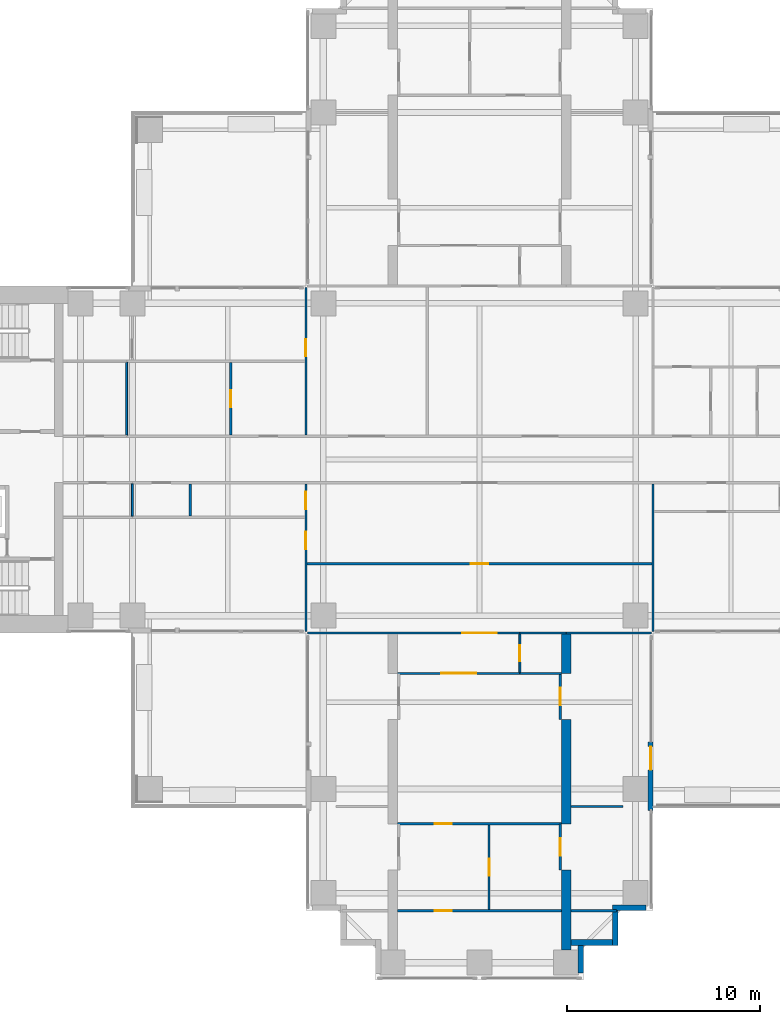
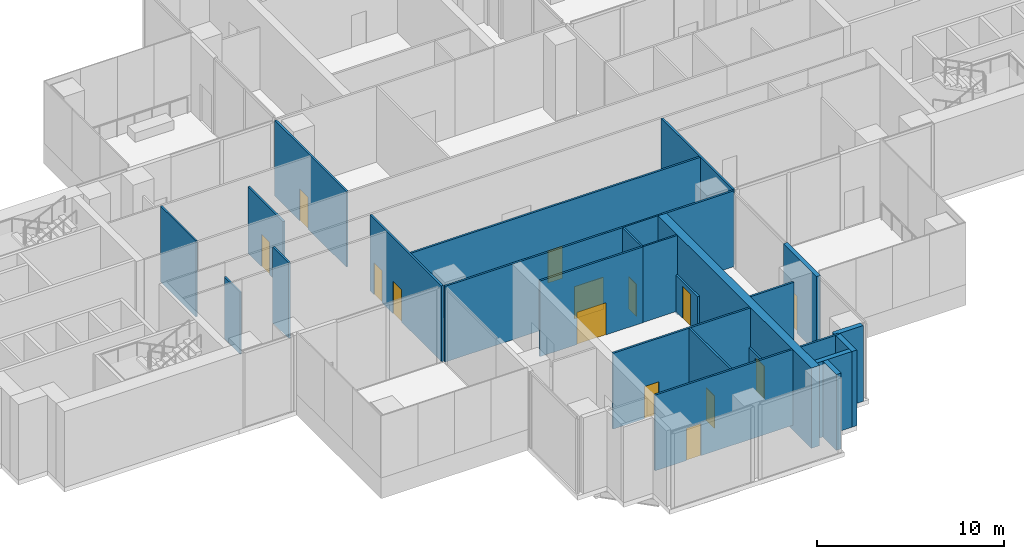
# One storey, part 8 of 17: 27 walls, 14 doors, 14 openings.
"""IFC4 building model written with IfcOpenShell, lengths in metres."""

from ifc_helpers import new_model, si_unit, direction, frame, frame_2d, origin, place, context, subcontext, project, spatial, polyline, rectangle, outline, extrude, material, layer, layer_set, material_profile, profile_set, type_object, element, fill, save


model = new_model("IFC4")

# Units and contexts
model_context = context("Model", 3, precision=1e-05, world=origin(), true_north=direction((0.0, 1.0)))
body_context = subcontext(model_context, "Body", "Model", "MODEL_VIEW")
ifc_project = project(units=[si_unit("LENGTHUNIT", "METRE"), si_unit("AREAUNIT", "SQUARE_METRE"), si_unit("VOLUMEUNIT", "CUBIC_METRE"), si_unit("PLANEANGLEUNIT", "RADIAN"), si_unit("MASSUNIT", "GRAM", prefix="KILO")], contexts=[model_context])

# Site, building, storey
site_placement = place(None, origin())
site = spatial("IfcSite", under=ifc_project, at=site_placement, CompositionType="ELEMENT")
building_placement = place(site_placement, origin())
building = spatial("IfcBuilding", under=site, at=building_placement, Name="Perihelion Cross Residences", CompositionType="ELEMENT")
storey_placement = place(building_placement, frame((0.0, 0.0, 92.5)))
storey = spatial("IfcBuildingStorey", under=building, at=storey_placement, Name="L21", CompositionType="ELEMENT", Elevation=92.5)

# Wall, opening, door
ifc_material_1 = material(Name="Concrete C30/37, bronze-clad", Category="concrete")
ifc_layer_1 = layer(ifc_material_1, 0.25)
ifc_layer_set_1 = layer_set([ifc_layer_1], Name="Bronze-clad pier wall 250")
wall_type_1 = type_object("IfcWallType", Name="Bronze-clad pier wall 250", PredefinedType="SOLIDWALL", material=ifc_layer_set_1)
wall_1_placement = place(storey_placement, frame((8.875, -18.199951171875, 0.0), z_axis=(0.0, 0.0, 1.0), x_axis=(0.0, 1.0, 0.0)))
wall_1 = element("IfcWall", 1, at=wall_1_placement, inside=storey, type_object=wall_type_1, Name="Wall FW1 L21 south side east bay 2 pier", PredefinedType="SOLIDWALL", context=body_context, shape_type="SweptSolid", body=[
    extrude(rectangle(XDim=3.550048828125, YDim=0.25, at=frame_2d((1.77490234375, 0.0))), origin(), (0.0, 0.0, 1.0), 4.949951171875),
])
opening_1_placement = place(wall_1_placement, frame((2.10009765625, 0.0, 0.0)))
opening_1 = element("IfcOpeningElement", 2, at=opening_1_placement, cuts=wall_1, Name="Opening L21.E07", PredefinedType="OPENING", context=body_context, shape_type="SweptSolid", body=[
    extrude(rectangle(XDim=1.199951171875, YDim=2.39990234375, at=frame_2d((0.60009765625, 1.199951171875))), frame((0.0, 0.135009765625, 0.0), z_axis=(0.0, -1.0, 0.0), x_axis=(1.0, 0.0, 0.0)), (0.0, 0.0, 1.0), 0.27001953125),
])
ifc_material_2 = material(Name="Bronze anodised aluminium, glazed", Category="aluminium")
door_type_1 = type_object("IfcDoorType", Name="Balcony door 1200 x 2400", OperationType="NOTDEFINED", PredefinedType="DOOR", material=ifc_material_2)
door_1_placement = place(opening_1_placement, origin())
door_1 = element("IfcDoor", 3, at=door_1_placement, inside=storey, type_object=door_type_1, Name="Door L21.E07 south side east bay 2", OperationType="SINGLE_SWING_RIGHT", OverallHeight=2.39990234375, OverallWidth=1.199951171875, PredefinedType="DOOR", context=body_context, shape_type="SweptSolid", body=[
    extrude(rectangle(XDim=1.199951171875, YDim=2.39990234375, at=frame_2d((0.60009765625, 1.199951171875))), frame((0.0, 0.02490234375, 0.0), z_axis=(0.0, -1.0, 0.0), x_axis=(1.0, 0.0, 0.0)), (0.0, 0.0, 1.0), 0.050048828125),
])
fill(opening_1, door_1)

# Walls
ifc_material_3 = material(Name="Concrete C30/37, bronze-clad", Category="concrete")
ifc_layer_2 = layer(ifc_material_3, 0.300048828125)
ifc_layer_set_2 = layer_set([ifc_layer_2], Name="Bronze-clad serration wall 300")
wall_type_2 = type_object("IfcWallType", Name="Bronze-clad serration wall 300", PredefinedType="SOLIDWALL", material=ifc_layer_set_2)
wall_2_placement = place(storey_placement, frame((5.25, -26.64990234375, 0.0), z_axis=(0.0, 0.0, 1.0), x_axis=(0.0, 1.0, 0.0)))
element("IfcWall", 4, at=wall_2_placement, inside=storey, type_object=wall_type_2, Name="Wall SR1 L21 south corner south-east 1", PredefinedType="SOLIDWALL", context=body_context, shape_type="SweptSolid", body=[
    extrude(rectangle(XDim=1.449951171875, YDim=0.300048828125, at=frame_2d((0.72509765625, 0.0))), origin(), (0.0, 0.0, 1.0), 4.949951171875),
])
wall_3_placement = place(storey_placement, frame((4.75, -25.050048828125, 0.0), z_axis=(0.0, 0.0, 1.0), x_axis=(1.0, 0.0, 0.0)))
element("IfcWall", 5, at=wall_3_placement, inside=storey, type_object=wall_type_2, Name="Wall SR1 L21 south corner south-east 2", PredefinedType="SOLIDWALL", context=body_context, shape_type="SweptSolid", body=[
    extrude(rectangle(XDim=2.14990234375, YDim=0.300048828125, at=frame_2d((1.074951171875, 0.0))), origin(), (0.0, 0.0, 1.0), 4.949951171875),
])
wall_4_placement = place(storey_placement, frame((7.050048828125, -25.199951171875, 0.0), z_axis=(0.0, 0.0, 1.0), x_axis=(0.0, 1.0, 0.0)))
element("IfcWall", 6, at=wall_4_placement, inside=storey, type_object=wall_type_2, Name="Wall SR1 L21 south corner south-east 3", PredefinedType="SOLIDWALL", context=body_context, shape_type="SweptSolid", body=[
    extrude(rectangle(XDim=1.800048828125, YDim=0.300048828125, at=frame_2d((0.89990234375, 0.0))), origin(), (0.0, 0.0, 1.0), 4.949951171875),
])
wall_5_placement = place(storey_placement, frame((6.89990234375, -23.25, 0.0), z_axis=(0.0, 0.0, 1.0), x_axis=(1.0, 0.0, 0.0)))
element("IfcWall", 7, at=wall_5_placement, inside=storey, type_object=wall_type_2, Name="Wall SR1 L21 south corner south-east 4", PredefinedType="SOLIDWALL", context=body_context, shape_type="SweptSolid", body=[
    extrude(rectangle(XDim=1.75, YDim=0.300048828125, at=frame_2d((0.875, 0.0))), origin(), (0.0, 0.0, 1.0), 4.949951171875),
])

# Wall, opening, door
ifc_material_4 = material(Name="Plasterboard partition")
ifc_layer_3 = layer(ifc_material_4, 0.1201171875)
ifc_layer_set_3 = layer_set([ifc_layer_3], Name="Infill panel 120")
wall_type_3 = type_object("IfcWallType", Name="Infill panel 120", PredefinedType="PARTITIONING", material=ifc_layer_set_3)
wall_6_placement = place(storey_placement, frame((4.18994140625, -11.10009765625, 0.0), z_axis=(0.0, 0.0, 1.0), x_axis=(0.0, -1.0, 0.0)))
wall_6 = element("IfcWall", 8, at=wall_6_placement, inside=storey, type_object=wall_type_3, Name="Partition L21 WI05", PredefinedType="PARTITIONING", context=body_context, shape_type="SweptSolid", body=[
    extrude(rectangle(XDim=2.39990234375, YDim=0.1201171875, at=frame_2d((1.199951171875, 0.0))), origin(), (0.0, 0.0, 1.0), 2.39990234375),
])
opening_2_placement = place(wall_6_placement, frame((0.75, 0.0, 0.0)))
opening_2 = element("IfcOpeningElement", 9, at=opening_2_placement, cuts=wall_6, Name="Opening L21.A40", PredefinedType="OPENING", context=body_context, shape_type="SweptSolid", body=[
    extrude(rectangle(XDim=0.89990234375, YDim=2.10009765625, at=frame_2d((0.449951171875, 1.050048828125))), frame((0.0, 0.070068359375, 0.0), z_axis=(0.0, -1.0, 0.0), x_axis=(1.0, 0.0, 0.0)), (0.0, 0.0, 1.0), 0.14013671875),
])
ifc_material_5 = material(Name="Timber door leaf", Category="wood")
door_type_2 = type_object("IfcDoorType", Name="Interior room door 900 x 2100", OperationType="SINGLE_SWING_LEFT", PredefinedType="DOOR", material=ifc_material_5)
door_2_placement = place(opening_2_placement, origin())
door_2 = element("IfcDoor", 10, at=door_2_placement, inside=storey, type_object=door_type_2, Name="Door L21.A40", OperationType="SINGLE_SWING_LEFT", OverallHeight=2.10009765625, OverallWidth=0.89990234375, PredefinedType="DOOR", context=body_context, shape_type="SweptSolid", body=[
    extrude(rectangle(XDim=0.89990234375, YDim=2.10009765625, at=frame_2d((0.449951171875, 1.050048828125))), frame((0.0, 0.02490234375, 0.0), z_axis=(0.0, -1.0, 0.0), x_axis=(1.0, 0.0, 0.0)), (0.0, 0.0, 1.0), 0.050048828125),
])
fill(opening_2, door_2)

wall_7_placement = place(storey_placement, frame((4.18994140625, -18.89990234375, 0.0), z_axis=(0.0, 0.0, 1.0), x_axis=(0.0, -1.0, 0.0)))
wall_7 = element("IfcWall", 11, at=wall_7_placement, inside=storey, type_object=wall_type_3, Name="Partition L21 WI06", PredefinedType="PARTITIONING", context=body_context, shape_type="SweptSolid", body=[
    extrude(rectangle(XDim=2.400146484375, YDim=0.1201171875, at=frame_2d((1.2001953125, 0.0))), origin(), (0.0, 0.0, 1.0), 2.39990234375),
])
opening_3_placement = place(wall_7_placement, frame((0.75, 0.0, 0.0)))
opening_3 = element("IfcOpeningElement", 12, at=opening_3_placement, cuts=wall_7, Name="Opening L21.A41", PredefinedType="OPENING", context=body_context, shape_type="SweptSolid", body=[
    extrude(rectangle(XDim=0.89990234375, YDim=2.10009765625, at=frame_2d((0.449951171875, 1.050048828125))), frame((0.0, 0.070068359375, 0.0), z_axis=(0.0, -1.0, 0.0), x_axis=(1.0, 0.0, 0.0)), (0.0, 0.0, 1.0), 0.14013671875),
])
door_3_placement = place(opening_3_placement, origin())
door_3 = element("IfcDoor", 13, at=door_3_placement, inside=storey, type_object=door_type_2, Name="Door L21.A41", OperationType="SINGLE_SWING_RIGHT", OverallHeight=2.10009765625, OverallWidth=0.89990234375, PredefinedType="DOOR", context=body_context, shape_type="SweptSolid", body=[
    extrude(rectangle(XDim=0.89990234375, YDim=2.10009765625, at=frame_2d((0.449951171875, 1.050048828125))), frame((0.0, 0.02490234375, 0.0), z_axis=(0.0, -1.0, 0.0), x_axis=(1.0, 0.0, 0.0)), (0.0, 0.0, 1.0), 0.050048828125),
])
fill(opening_3, door_3)

ifc_material_6 = material(Name="Plasterboard partition")
ifc_layer_4 = layer(ifc_material_6, 0.1201171875)
ifc_layer_set_4 = layer_set([ifc_layer_4], Name="Partition wall 120")
wall_type_4 = type_object("IfcWallType", Name="Partition wall 120", PredefinedType="PARTITIONING", material=ifc_layer_set_4)
wall_8_placement = place(storey_placement, frame((-9.0, 1.260009765625, 0.0), z_axis=(0.0, 0.0, 1.0), x_axis=(0.0, 1.0, 0.0)))
wall_8 = element("IfcWall", 14, at=wall_8_placement, inside=storey, type_object=wall_type_4, Name="Partition L21 W008", PredefinedType="PARTITIONING", context=body_context, shape_type="SweptSolid", body=[
    extrude(rectangle(XDim=7.659912109375, YDim=0.1201171875, at=frame_2d((3.830078125, 0.0))), origin(), (0.0, 0.0, 1.0), 4.949951171875),
])
opening_4_placement = place(wall_8_placement, frame((4.090087890625, 0.0, 0.0)))
opening_4 = element("IfcOpeningElement", 15, at=opening_4_placement, cuts=wall_8, Name="Opening L21.A15", PredefinedType="OPENING", context=body_context, shape_type="SweptSolid", body=[
    extrude(rectangle(XDim=0.89990234375, YDim=2.10009765625, at=frame_2d((0.449951171875, 1.050048828125))), frame((0.0, 0.070068359375, 0.0), z_axis=(0.0, -1.0, 0.0), x_axis=(1.0, 0.0, 0.0)), (0.0, 0.0, 1.0), 0.14013671875),
])
door_4_placement = place(opening_4_placement, origin())
door_4 = element("IfcDoor", 16, at=door_4_placement, inside=storey, type_object=door_type_2, Name="Door L21.A15", OperationType="SINGLE_SWING_RIGHT", OverallHeight=2.10009765625, OverallWidth=0.89990234375, PredefinedType="DOOR", context=body_context, shape_type="SweptSolid", body=[
    extrude(rectangle(XDim=0.89990234375, YDim=2.10009765625, at=frame_2d((0.449951171875, 1.050048828125))), frame((0.0, 0.02490234375, 0.0), z_axis=(0.0, -1.0, 0.0), x_axis=(1.0, 0.0, 0.0)), (0.0, 0.0, 1.0), 0.050048828125),
])
fill(opening_4, door_4)

wall_9_placement = place(storey_placement, frame((-9.06005859375, -5.39990234375, 0.0), z_axis=(0.0, 0.0, 1.0), x_axis=(1.0, 0.0, 0.0)))
wall_9 = element("IfcWall", 17, at=wall_9_placement, inside=storey, type_object=wall_type_4, Name="Partition L21 W013", PredefinedType="PARTITIONING", context=body_context, shape_type="SweptSolid", body=[
    extrude(rectangle(XDim=18.1201171875, YDim=0.1201171875, at=frame_2d((9.06005859375, 0.0))), origin(), (0.0, 0.0, 1.0), 4.949951171875),
])
opening_5_placement = place(wall_9_placement, frame((8.610107421875, 0.0, 0.0)))
opening_5 = element("IfcOpeningElement", 18, at=opening_5_placement, cuts=wall_9, Name="Opening L21.A18", PredefinedType="OPENING", context=body_context, shape_type="SweptSolid", body=[
    extrude(rectangle(XDim=0.89990234375, YDim=2.10009765625, at=frame_2d((0.449951171875, 1.050048828125))), frame((0.0, 0.070068359375, 0.0), z_axis=(0.0, -1.0, 0.0), x_axis=(1.0, 0.0, 0.0)), (0.0, 0.0, 1.0), 0.14013671875),
])
door_5_placement = place(opening_5_placement, origin())
door_5 = element("IfcDoor", 19, at=door_5_placement, inside=storey, type_object=door_type_2, Name="Door L21.A18", OperationType="SINGLE_SWING_RIGHT", OverallHeight=2.10009765625, OverallWidth=0.89990234375, PredefinedType="DOOR", context=body_context, shape_type="SweptSolid", body=[
    extrude(rectangle(XDim=0.89990234375, YDim=2.10009765625, at=frame_2d((0.449951171875, 1.050048828125))), frame((0.0, 0.02490234375, 0.0), z_axis=(0.0, -1.0, 0.0), x_axis=(1.0, 0.0, 0.0)), (0.0, 0.0, 1.0), 0.050048828125),
])
fill(opening_5, door_5)

# Wall
wall_10_placement = place(storey_placement, frame((9.0, -1.260009765625, 0.0), z_axis=(0.0, 0.0, 1.0), x_axis=(0.0, -1.0, 0.0)))
element("IfcWall", 20, at=wall_10_placement, inside=storey, type_object=wall_type_4, Name="Partition L21 W014", PredefinedType="PARTITIONING", context=body_context, shape_type="SweptSolid", body=[
    extrude(rectangle(XDim=7.659912109375, YDim=0.1201171875, at=frame_2d((3.830078125, 0.0))), origin(), (0.0, 0.0, 1.0), 4.949951171875),
])

# Wall, openings, doors
wall_11_placement = place(storey_placement, frame((-9.0, -8.919921875, 0.0), z_axis=(0.0, 0.0, 1.0), x_axis=(0.0, 1.0, 0.0)))
wall_11 = element("IfcWall", 21, at=wall_11_placement, inside=storey, type_object=wall_type_4, Name="Partition L21 W015", PredefinedType="PARTITIONING", context=body_context, shape_type="SweptSolid", body=[
    extrude(rectangle(XDim=7.659912109375, YDim=0.1201171875, at=frame_2d((3.830078125, 0.0))), origin(), (0.0, 0.0, 1.0), 4.949951171875),
])
opening_6_placement = place(wall_11_placement, frame((4.27001953125, 0.0, 0.0)))
opening_6 = element("IfcOpeningElement", 22, at=opening_6_placement, cuts=wall_11, Name="Opening L21.A17", PredefinedType="OPENING", context=body_context, shape_type="SweptSolid", body=[
    extrude(rectangle(XDim=0.89990234375, YDim=2.10009765625, at=frame_2d((0.449951171875, 1.050048828125))), frame((0.0, 0.070068359375, 0.0), z_axis=(0.0, -1.0, 0.0), x_axis=(1.0, 0.0, 0.0)), (0.0, 0.0, 1.0), 0.14013671875),
])
opening_7_placement = place(wall_11_placement, frame((6.340087890625, 0.0, 0.0)))
opening_7 = element("IfcOpeningElement", 23, at=opening_7_placement, cuts=wall_11, Name="Opening L21.A19", PredefinedType="OPENING", context=body_context, shape_type="SweptSolid", body=[
    extrude(rectangle(XDim=0.89990234375, YDim=2.10009765625, at=frame_2d((0.449951171875, 1.050048828125))), frame((0.0, 0.070068359375, 0.0), z_axis=(0.0, -1.0, 0.0), x_axis=(1.0, 0.0, 0.0)), (0.0, 0.0, 1.0), 0.14013671875),
])
door_6_placement = place(opening_6_placement, origin())
door_6 = element("IfcDoor", 24, at=door_6_placement, inside=storey, type_object=door_type_2, Name="Door L21.A17", OperationType="SINGLE_SWING_RIGHT", OverallHeight=2.10009765625, OverallWidth=0.89990234375, PredefinedType="DOOR", context=body_context, shape_type="SweptSolid", body=[
    extrude(rectangle(XDim=0.89990234375, YDim=2.10009765625, at=frame_2d((0.449951171875, 1.050048828125))), frame((0.0, 0.02490234375, 0.0), z_axis=(0.0, -1.0, 0.0), x_axis=(1.0, 0.0, 0.0)), (0.0, 0.0, 1.0), 0.050048828125),
])
fill(opening_6, door_6)
door_7_placement = place(opening_7_placement, origin())
door_7 = element("IfcDoor", 25, at=door_7_placement, inside=storey, type_object=door_type_2, Name="Door L21.A19", OperationType="SINGLE_SWING_RIGHT", OverallHeight=2.10009765625, OverallWidth=0.89990234375, PredefinedType="DOOR", context=body_context, shape_type="SweptSolid", body=[
    extrude(rectangle(XDim=0.89990234375, YDim=2.10009765625, at=frame_2d((0.449951171875, 1.050048828125))), frame((0.0, 0.02490234375, 0.0), z_axis=(0.0, -1.0, 0.0), x_axis=(1.0, 0.0, 0.0)), (0.0, 0.0, 1.0), 0.050048828125),
])
fill(opening_7, door_7)

# Wall, opening, door
wall_12_placement = place(storey_placement, frame((2.10009765625, -9.0, 0.0), z_axis=(0.0, 0.0, 1.0), x_axis=(-1.0, 0.0, 0.0)))
wall_12 = element("IfcWall", 26, at=wall_12_placement, inside=storey, type_object=wall_type_4, Name="Partition L21 W016", PredefinedType="PARTITIONING", context=body_context, shape_type="SweptSolid", body=[
    extrude(rectangle(XDim=11.02001953125, YDim=0.1201171875, at=frame_2d((5.510009765625, 0.0))), origin(), (0.0, 0.0, 1.0), 4.949951171875),
])
opening_8_placement = place(wall_12_placement, frame((1.199951171875, 0.0, 0.0)))
opening_8 = element("IfcOpeningElement", 27, at=opening_8_placement, cuts=wall_12, Name="Opening L21.A30", PredefinedType="OPENING", context=body_context, shape_type="SweptSolid", body=[
    extrude(rectangle(XDim=1.800048828125, YDim=2.10009765625, at=frame_2d((0.89990234375, 1.050048828125))), frame((0.0, 0.070068359375, 0.0), z_axis=(0.0, -1.0, 0.0), x_axis=(1.0, 0.0, 0.0)), (0.0, 0.0, 1.0), 0.14013671875),
])
ifc_material_7 = material(Name="Glazed timber door leaf", Category="wood")
door_type_3 = type_object("IfcDoorType", Name="Interior double leaf door 1800 x 2100", OperationType="DOUBLE_DOOR_SINGLE_SWING", PredefinedType="DOOR", material=ifc_material_7)
door_8_placement = place(opening_8_placement, origin())
door_8 = element("IfcDoor", 28, at=door_8_placement, inside=storey, type_object=door_type_3, Name="Door L21.A30", OperationType="SINGLE_SWING_LEFT", OverallHeight=2.10009765625, OverallWidth=1.800048828125, PredefinedType="DOOR", context=body_context, shape_type="SweptSolid", body=[
    extrude(rectangle(XDim=1.800048828125, YDim=2.10009765625, at=frame_2d((0.89990234375, 1.050048828125))), frame((0.0, 0.02490234375, 0.0), z_axis=(0.0, -1.0, 0.0), x_axis=(1.0, 0.0, 0.0)), (0.0, 0.0, 1.0), 0.050048828125),
])
fill(opening_8, door_8)

# Wall
wall_13_placement = place(storey_placement, frame((8.919921875, -9.0, 0.0), z_axis=(0.0, 0.0, 1.0), x_axis=(-1.0, 0.0, 0.0)))
element("IfcWall", 29, at=wall_13_placement, inside=storey, type_object=wall_type_4, Name="Partition L21 W018", PredefinedType="PARTITIONING", context=body_context, shape_type="SweptSolid", body=[
    extrude(rectangle(XDim=4.419921875, YDim=0.1201171875, at=frame_2d((2.2099609375, 0.0))), origin(), (0.0, 0.0, 1.0), 4.949951171875),
])

# Wall, opening, door
wall_14_placement = place(storey_placement, frame((-12.89990234375, 1.260009765625, 0.0), z_axis=(0.0, 0.0, 1.0), x_axis=(0.0, 1.0, 0.0)))
wall_14 = element("IfcWall", 30, at=wall_14_placement, inside=storey, type_object=wall_type_4, Name="Partition L21 W032", PredefinedType="PARTITIONING", context=body_context, shape_type="SweptSolid", body=[
    extrude(rectangle(XDim=3.780029296875, YDim=0.1201171875, at=frame_2d((1.89013671875, 0.0))), origin(), (0.0, 0.0, 1.0), 4.337890625),
])
opening_9_placement = place(wall_14_placement, frame((1.43994140625, 0.0, 0.0)))
opening_9 = element("IfcOpeningElement", 31, at=opening_9_placement, cuts=wall_14, Name="Opening L21.A20", PredefinedType="OPENING", context=body_context, shape_type="SweptSolid", body=[
    extrude(rectangle(XDim=0.89990234375, YDim=2.10009765625, at=frame_2d((0.449951171875, 1.050048828125))), frame((0.0, 0.070068359375, 0.0), z_axis=(0.0, -1.0, 0.0), x_axis=(1.0, 0.0, 0.0)), (0.0, 0.0, 1.0), 0.14013671875),
])
door_9_placement = place(opening_9_placement, origin())
door_9 = element("IfcDoor", 32, at=door_9_placement, inside=storey, type_object=door_type_2, Name="Door L21.A20", OperationType="SINGLE_SWING_LEFT", OverallHeight=2.10009765625, OverallWidth=0.89990234375, PredefinedType="DOOR", context=body_context, shape_type="SweptSolid", body=[
    extrude(rectangle(XDim=0.89990234375, YDim=2.10009765625, at=frame_2d((0.449951171875, 1.050048828125))), frame((0.0, 0.02490234375, 0.0), z_axis=(0.0, -1.0, 0.0), x_axis=(1.0, 0.0, 0.0)), (0.0, 0.0, 1.0), 0.050048828125),
])
fill(opening_9, door_9)

# Wall
wall_15_placement = place(storey_placement, frame((-15.0, -2.93994140625, 0.0), z_axis=(0.0, 0.0, 1.0), x_axis=(0.0, 1.0, 0.0)))
element("IfcWall", 33, at=wall_15_placement, inside=storey, type_object=wall_type_4, Name="Partition L21 W036", PredefinedType="PARTITIONING", context=body_context, shape_type="SweptSolid", body=[
    extrude(rectangle(XDim=1.679931640625, YDim=0.1201171875, at=frame_2d((0.83984375, 0.0))), origin(), (0.0, 0.0, 1.0), 4.949951171875),
])

# Wall, opening, door
wall_16_placement = place(storey_placement, frame((2.10009765625, -11.10009765625, 0.0), z_axis=(0.0, 0.0, 1.0), x_axis=(-1.0, 0.0, 0.0)))
wall_16 = element("IfcWall", 34, at=wall_16_placement, inside=storey, type_object=wall_type_4, Name="Partition L21 W049", PredefinedType="PARTITIONING", context=body_context, shape_type="SweptSolid", body=[
    extrude(rectangle(XDim=6.35009765625, YDim=0.1201171875, at=frame_2d((3.175048828125, 0.0))), origin(), (0.0, 0.0, 1.0), 4.949951171875),
])
opening_10_placement = place(wall_16_placement, frame((2.27490234375, 0.0, 0.0)))
opening_10 = element("IfcOpeningElement", 35, at=opening_10_placement, cuts=wall_16, Name="Opening L21.A32", PredefinedType="OPENING", context=body_context, shape_type="SweptSolid", body=[
    extrude(rectangle(XDim=1.800048828125, YDim=2.10009765625, at=frame_2d((0.89990234375, 1.050048828125))), frame((0.0, 0.070068359375, 0.0), z_axis=(0.0, -1.0, 0.0), x_axis=(1.0, 0.0, 0.0)), (0.0, 0.0, 1.0), 0.14013671875),
])
door_10_placement = place(opening_10_placement, origin())
door_10 = element("IfcDoor", 36, at=door_10_placement, inside=storey, type_object=door_type_3, Name="Door L21.A32", OperationType="SINGLE_SWING_LEFT", OverallHeight=2.10009765625, OverallWidth=1.800048828125, PredefinedType="DOOR", context=body_context, shape_type="SweptSolid", body=[
    extrude(rectangle(XDim=1.800048828125, YDim=2.10009765625, at=frame_2d((0.89990234375, 1.050048828125))), frame((0.0, 0.02490234375, 0.0), z_axis=(0.0, -1.0, 0.0), x_axis=(1.0, 0.0, 0.0)), (0.0, 0.0, 1.0), 0.050048828125),
])
fill(opening_10, door_10)

wall_17_placement = place(storey_placement, frame((4.25, -18.89990234375, 0.0), z_axis=(0.0, 0.0, 1.0), x_axis=(-1.0, 0.0, 0.0)))
wall_17 = element("IfcWall", 37, at=wall_17_placement, inside=storey, type_object=wall_type_4, Name="Partition L21 W051", PredefinedType="PARTITIONING", context=body_context, shape_type="SweptSolid", body=[
    extrude(rectangle(XDim=8.5, YDim=0.1201171875, at=frame_2d((4.25, 0.0))), origin(), (0.0, 0.0, 1.0), 4.949951171875),
])
opening_11_placement = place(wall_17_placement, frame((5.675048828125, 0.0, 0.0)))
opening_11 = element("IfcOpeningElement", 38, at=opening_11_placement, cuts=wall_17, Name="Opening L21.A33", PredefinedType="OPENING", context=body_context, shape_type="SweptSolid", body=[
    extrude(rectangle(XDim=0.89990234375, YDim=2.10009765625, at=frame_2d((0.449951171875, 1.050048828125))), frame((0.0, 0.070068359375, 0.0), z_axis=(0.0, -1.0, 0.0), x_axis=(1.0, 0.0, 0.0)), (0.0, 0.0, 1.0), 0.14013671875),
])
door_11_placement = place(opening_11_placement, origin())
door_11 = element("IfcDoor", 39, at=door_11_placement, inside=storey, type_object=door_type_2, Name="Door L21.A33", OperationType="SINGLE_SWING_RIGHT", OverallHeight=2.10009765625, OverallWidth=0.89990234375, PredefinedType="DOOR", context=body_context, shape_type="SweptSolid", body=[
    extrude(rectangle(XDim=0.89990234375, YDim=2.10009765625, at=frame_2d((0.449951171875, 1.050048828125))), frame((0.0, 0.02490234375, 0.0), z_axis=(0.0, -1.0, 0.0), x_axis=(1.0, 0.0, 0.0)), (0.0, 0.0, 1.0), 0.050048828125),
])
fill(opening_11, door_11)

wall_18_placement = place(storey_placement, frame((0.5, -18.9599609375, 0.0), z_axis=(0.0, 0.0, 1.0), x_axis=(0.0, -1.0, 0.0)))
wall_18 = element("IfcWall", 40, at=wall_18_placement, inside=storey, type_object=wall_type_4, Name="Partition L21 W052", PredefinedType="PARTITIONING", context=body_context, shape_type="SweptSolid", body=[
    extrude(rectangle(XDim=4.380126953125, YDim=0.1201171875, at=frame_2d((2.18994140625, 0.0))), origin(), (0.0, 0.0, 1.0), 4.949951171875),
])
opening_12_placement = place(wall_18_placement, frame((1.739990234375, 0.0, 0.0)))
opening_12 = element("IfcOpeningElement", 41, at=opening_12_placement, cuts=wall_18, Name="Opening L21.A34", PredefinedType="OPENING", context=body_context, shape_type="SweptSolid", body=[
    extrude(rectangle(XDim=0.89990234375, YDim=2.10009765625, at=frame_2d((0.449951171875, 1.050048828125))), frame((0.0, 0.070068359375, 0.0), z_axis=(0.0, -1.0, 0.0), x_axis=(1.0, 0.0, 0.0)), (0.0, 0.0, 1.0), 0.14013671875),
])
door_12_placement = place(opening_12_placement, origin())
door_12 = element("IfcDoor", 42, at=door_12_placement, inside=storey, type_object=door_type_2, Name="Door L21.A34", OperationType="SINGLE_SWING_RIGHT", OverallHeight=2.10009765625, OverallWidth=0.89990234375, PredefinedType="DOOR", context=body_context, shape_type="SweptSolid", body=[
    extrude(rectangle(XDim=0.89990234375, YDim=2.10009765625, at=frame_2d((0.449951171875, 1.050048828125))), frame((0.0, 0.02490234375, 0.0), z_axis=(0.0, -1.0, 0.0), x_axis=(1.0, 0.0, 0.0)), (0.0, 0.0, 1.0), 0.050048828125),
])
fill(opening_12, door_12)

wall_19_placement = place(storey_placement, frame((4.25, -23.39990234375, 0.0), z_axis=(0.0, 0.0, 1.0), x_axis=(-1.0, 0.0, 0.0)))
wall_19 = element("IfcWall", 43, at=wall_19_placement, inside=storey, type_object=wall_type_4, Name="Partition L21 W053", PredefinedType="PARTITIONING", context=body_context, shape_type="SweptSolid", body=[
    extrude(rectangle(XDim=8.5, YDim=0.1201171875, at=frame_2d((4.25, 0.0))), origin(), (0.0, 0.0, 1.0), 4.949951171875),
])
opening_13_placement = place(wall_19_placement, frame((5.675048828125, 0.0, 0.0)))
opening_13 = element("IfcOpeningElement", 44, at=opening_13_placement, cuts=wall_19, Name="Opening L21.A35", PredefinedType="OPENING", context=body_context, shape_type="SweptSolid", body=[
    extrude(rectangle(XDim=0.89990234375, YDim=2.10009765625, at=frame_2d((0.449951171875, 1.050048828125))), frame((0.0, 0.070068359375, 0.0), z_axis=(0.0, -1.0, 0.0), x_axis=(1.0, 0.0, 0.0)), (0.0, 0.0, 1.0), 0.14013671875),
])
door_13_placement = place(opening_13_placement, origin())
door_13 = element("IfcDoor", 45, at=door_13_placement, inside=storey, type_object=door_type_2, Name="Door L21.A35", OperationType="SINGLE_SWING_LEFT", OverallHeight=2.10009765625, OverallWidth=0.89990234375, PredefinedType="DOOR", context=body_context, shape_type="SweptSolid", body=[
    extrude(rectangle(XDim=0.89990234375, YDim=2.10009765625, at=frame_2d((0.449951171875, 1.050048828125))), frame((0.0, 0.02490234375, 0.0), z_axis=(0.0, -1.0, 0.0), x_axis=(1.0, 0.0, 0.0)), (0.0, 0.0, 1.0), 0.050048828125),
])
fill(opening_13, door_13)

# Walls
wall_20_placement = place(storey_placement, frame((7.449951171875, -18.0, 0.0), z_axis=(0.0, 0.0, 1.0), x_axis=(-1.0, 0.0, 0.0)))
element("IfcWall", 46, at=wall_20_placement, inside=storey, type_object=wall_type_4, Name="Partition L21 W054", PredefinedType="PARTITIONING", context=body_context, shape_type="SweptSolid", body=[
    extrude(rectangle(XDim=2.699951171875, YDim=0.1201171875, at=frame_2d((1.35009765625, 0.0))), origin(), (0.0, 0.0, 1.0), 4.949951171875),
])
wall_21_placement = place(storey_placement, frame((7.1201171875, -23.39990234375, 0.0), z_axis=(0.0, 0.0, 1.0), x_axis=(-1.0, 0.0, 0.0)))
element("IfcWall", 47, at=wall_21_placement, inside=storey, type_object=wall_type_4, Name="Partition L21 W055", PredefinedType="PARTITIONING", context=body_context, shape_type="SweptSolid", body=[
    extrude(rectangle(XDim=2.3701171875, YDim=0.1201171875, at=frame_2d((1.18505859375, 0.0))), origin(), (0.0, 0.0, 1.0), 4.949951171875),
])
ifc_material_8 = material(Name="Concrete C60/75", Category="concrete")
ifc_material_profile = material_profile(ifc_material_8, outline(polyline([(0.0, 0.0), (4.14990234375, 0.0), (4.14990234375, 2.699951171875), (6.550048828125, 2.699951171875), (6.550048828125, 0.0), (11.949951171875, 0.0), (11.949951171875, 2.699951171875), (14.35009765625, 2.699951171875), (14.35009765625, 0.0), (16.449951171875, 0.0), (16.449951171875, 5.25), (0.0, 5.25), (0.0, 0.0)])), Name="Tip spine wall")
ifc_profile_set = profile_set([ifc_material_profile], Name="Concrete C60/75")
wall_type_5 = type_object("IfcWallType", Name="Tip spine wall 500 with 2 door openings 16450 long 5250 high concrete C60/75 hand A", PredefinedType="SHEAR", material=ifc_profile_set)
wall_22_placement = place(storey_placement, frame((4.25, -25.449951171875, -0.300048828125), z_axis=(1.0, 0.0, 0.0), x_axis=(0.0, 1.0, 0.0)))
element("IfcWall", 48, at=wall_22_placement, inside=storey, type_object=wall_type_5, Name="Shear wall SW30 L21 south east", PredefinedType="SHEAR", context=body_context, shape_type="SweptSolid", body=[
    extrude(outline(polyline([(0.0, 0.0), (4.14990234375, 0.0), (4.14990234375, 2.699951171875), (6.550048828125, 2.699951171875), (6.550048828125, 0.0), (11.949951171875, 0.0), (11.949951171875, 2.699951171875), (14.35009765625, 2.699951171875), (14.35009765625, 0.0), (16.449951171875, 0.0), (16.449951171875, 5.25), (0.0, 5.25), (0.0, 0.0)])), origin(), (0.0, 0.0, 1.0), 0.5),
])
ifc_material_9 = material(Name="Plasterboard partition")
ifc_layer_5 = layer(ifc_material_9, 0.10009765625)
ifc_layer_set_5 = layer_set([ifc_layer_5], Name="Wet room wall 100")
wall_type_6 = type_object("IfcWallType", Name="Wet room wall 100", PredefinedType="PARTITIONING", material=ifc_layer_set_5)
wall_23_placement = place(storey_placement, frame((4.5, -9.0, 0.0), z_axis=(0.0, 0.0, 1.0), x_axis=(-1.0, 0.0, 0.0)))
element("IfcWall", 49, at=wall_23_placement, inside=storey, type_object=wall_type_6, Name="Partition L21 W017", PredefinedType="PARTITIONING", context=body_context, shape_type="SweptSolid", body=[
    extrude(rectangle(XDim=2.39990234375, YDim=0.10009765625, at=frame_2d((1.199951171875, 0.0))), origin(), (0.0, 0.0, 1.0), 4.949951171875),
])
wall_24_placement = place(storey_placement, frame((-18.300048828125, 1.260009765625, 0.0), z_axis=(0.0, 0.0, 1.0), x_axis=(0.0, 1.0, 0.0)))
element("IfcWall", 50, at=wall_24_placement, inside=storey, type_object=wall_type_6, Name="Partition L21 W033", PredefinedType="PARTITIONING", context=body_context, shape_type="SweptSolid", body=[
    extrude(rectangle(XDim=3.780029296875, YDim=0.10009765625, at=frame_2d((1.89013671875, 0.0))), origin(), (0.0, 0.0, 1.0), 4.949951171875),
])
wall_25_placement = place(storey_placement, frame((-18.0, -2.93994140625, 0.0), z_axis=(0.0, 0.0, 1.0), x_axis=(0.0, 1.0, 0.0)))
element("IfcWall", 51, at=wall_25_placement, inside=storey, type_object=wall_type_6, Name="Partition L21 W037", PredefinedType="PARTITIONING", context=body_context, shape_type="SweptSolid", body=[
    extrude(rectangle(XDim=1.679931640625, YDim=0.10009765625, at=frame_2d((0.83984375, 0.0))), origin(), (0.0, 0.0, 1.0), 4.0458984375),
])

# Wall, opening, door
wall_26_placement = place(storey_placement, frame((2.10009765625, -9.06005859375, 0.0), z_axis=(0.0, 0.0, 1.0), x_axis=(0.0, -1.0, 0.0)))
wall_26 = element("IfcWall", 52, at=wall_26_placement, inside=storey, type_object=wall_type_6, Name="Partition L21 W048", PredefinedType="PARTITIONING", context=body_context, shape_type="SweptSolid", body=[
    extrude(rectangle(XDim=1.97998046875, YDim=0.10009765625, at=frame_2d((0.989990234375, 0.0))), origin(), (0.0, 0.0, 1.0), 4.949951171875),
])
opening_14_placement = place(wall_26_placement, frame((0.56494140625, 0.0, 0.0)))
opening_14 = element("IfcOpeningElement", 53, at=opening_14_placement, cuts=wall_26, Name="Opening L21.A31", PredefinedType="OPENING", context=body_context, shape_type="SweptSolid", body=[
    extrude(rectangle(XDim=0.85009765625, YDim=2.10009765625, at=frame_2d((0.425048828125, 1.050048828125))), frame((0.0, 0.06005859375, 0.0), z_axis=(0.0, -1.0, 0.0), x_axis=(1.0, 0.0, 0.0)), (0.0, 0.0, 1.0), 0.1201171875),
])
ifc_material_10 = material(Name="Timber door leaf", Category="wood")
door_type_4 = type_object("IfcDoorType", Name="Interior bathroom door 850 x 2100", OperationType="SINGLE_SWING_LEFT", PredefinedType="DOOR", material=ifc_material_10)
door_14_placement = place(opening_14_placement, origin())
door_14 = element("IfcDoor", 54, at=door_14_placement, inside=storey, type_object=door_type_4, Name="Door L21.A31", OperationType="SINGLE_SWING_RIGHT", OverallHeight=2.10009765625, OverallWidth=0.85009765625, PredefinedType="DOOR", context=body_context, shape_type="SweptSolid", body=[
    extrude(rectangle(XDim=0.85009765625, YDim=2.10009765625, at=frame_2d((0.425048828125, 1.050048828125))), frame((0.0, 0.02490234375, 0.0), z_axis=(0.0, -1.0, 0.0), x_axis=(1.0, 0.0, 0.0)), (0.0, 0.0, 1.0), 0.050048828125),
])
fill(opening_14, door_14)

# Wall
wall_27_placement = place(storey_placement, frame((4.25, -11.10009765625, 0.0), z_axis=(0.0, 0.0, 1.0), x_axis=(-1.0, 0.0, 0.0)))
element("IfcWall", 55, at=wall_27_placement, inside=storey, type_object=wall_type_6, Name="Partition L21 W050", PredefinedType="PARTITIONING", context=body_context, shape_type="SweptSolid", body=[
    extrude(rectangle(XDim=2.14990234375, YDim=0.10009765625, at=frame_2d((1.074951171875, 0.0))), origin(), (0.0, 0.0, 1.0), 4.949951171875),
])

save(model, "model.ifc")
